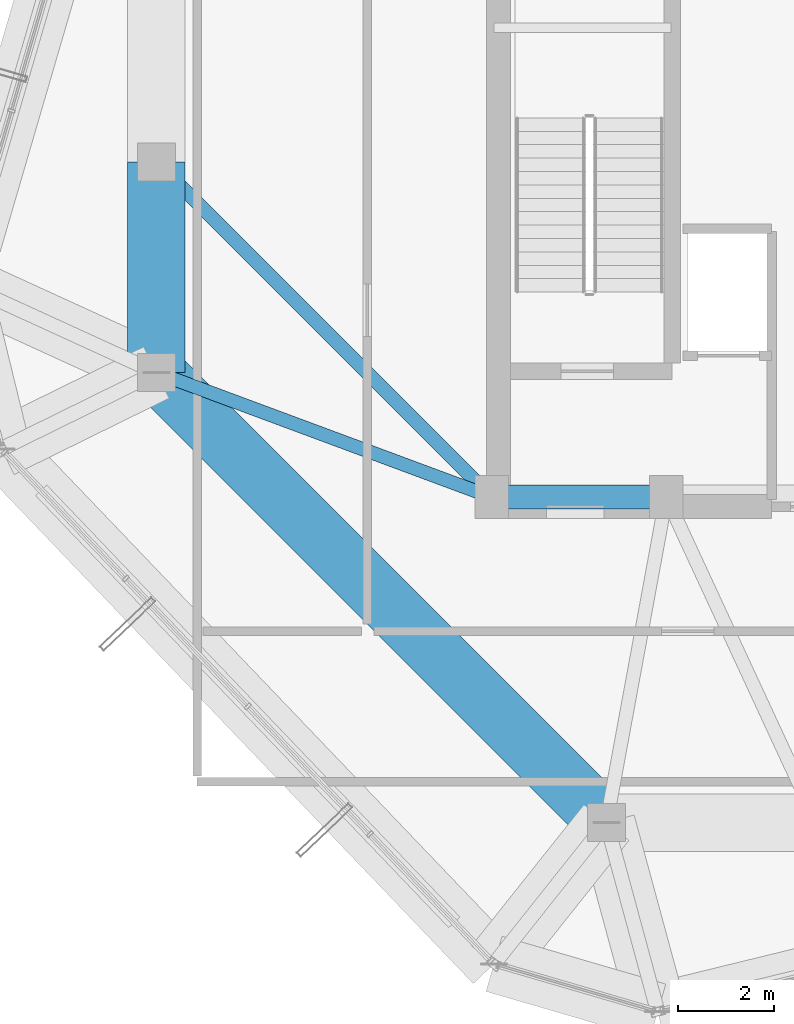
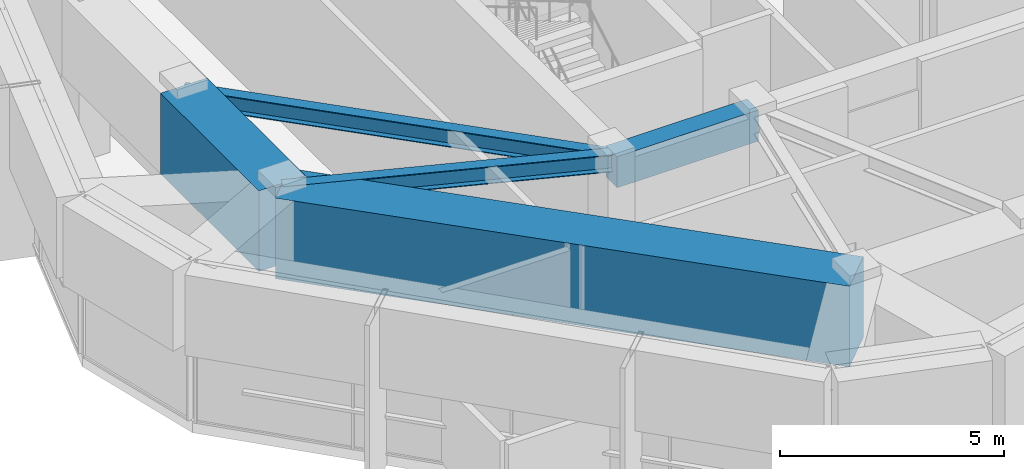
# One storey, part 7 of 39: 5 beams.
"""IFC4 building model written with IfcOpenShell, lengths in metres."""

from ifc_helpers import new_model, si_unit, direction, frame, origin, origin_2d, place, context, subcontext, project, spatial, rectangle, i_section, extrude, material, material_profile, profile_set, type_object, element, save


model = new_model("IFC4")

# Units and contexts
model_context = context("Model", 3, precision=1e-05, world=origin(), true_north=direction((0.0, 1.0)))
body_context = subcontext(model_context, "Body", "Model", "MODEL_VIEW")
ifc_project = project(units=[si_unit("LENGTHUNIT", "METRE"), si_unit("AREAUNIT", "SQUARE_METRE"), si_unit("VOLUMEUNIT", "CUBIC_METRE"), si_unit("PLANEANGLEUNIT", "RADIAN"), si_unit("MASSUNIT", "GRAM", prefix="KILO")], contexts=[model_context])

# Site, building, storey
site_placement = place(None, origin())
site = spatial("IfcSite", under=ifc_project, at=site_placement, CompositionType="ELEMENT")
building_placement = place(site_placement, origin())
building = spatial("IfcBuilding", under=site, at=building_placement, Name="Veraguas Prism Commons", CompositionType="ELEMENT")
storey_placement = place(building_placement, frame((0.0, 0.0, 264.25)))
storey = spatial("IfcBuildingStorey", under=building, at=storey_placement, Name="L75", CompositionType="ELEMENT", Elevation=264.25)

# Beams
ifc_material_1 = material(Name="Concrete C50/60", Category="concrete")
ifc_material_profile_1 = material_profile(ifc_material_1, rectangle(XDim=0.5, YDim=0.85009765625, at=origin_2d()), Name="RC500X850")
ifc_profile_set_1 = profile_set([ifc_material_profile_1], Name="Concrete C50/60")
beam_type_1 = type_object("IfcBeamType", Name="Core Coupling Beam RC 500x850", PredefinedType="BEAM", material=ifc_profile_set_1)
beam_1_placement = place(storey_placement, frame((17.199951171875, 17.0, 3.965087890625), z_axis=(1.0, 0.0, 0.0), x_axis=(0.0, 1.0, 0.0)))
element("IfcBeam", 1, at=beam_1_placement, inside=storey, type_object=beam_type_1, Name="Core Coupling Beam L75-CRS1", PredefinedType="BEAM", context=body_context, shape_type="SweptSolid", body=[
    extrude(rectangle(XDim=0.5, YDim=0.85009765625, at=origin_2d()), origin(), (0.0, 0.0, 1.0), 3.650146484375),
])
ifc_material_profile_2 = material_profile(ifc_material_1, rectangle(XDim=1.199951171875, YDim=2.199951171875, at=origin_2d()), Name="RC1200X2200")
ifc_profile_set_2 = profile_set([ifc_material_profile_2], Name="Concrete C50/60")
beam_type_2 = type_object("IfcBeamType", Name="Podium Transfer Girder RC 1200x2200", PredefinedType="BEAM", material=ifc_profile_set_2)
beam_2_placement = place(storey_placement, frame((10.199951171875, 24.0, 3.2900390625), z_axis=(0.0, -1.0, 0.0), x_axis=(1.0, 0.0, 0.0)))
element("IfcBeam", 2, at=beam_2_placement, inside=storey, type_object=beam_type_2, Name="Perimeter Spandrel Beam L75-SP08", PredefinedType="BEAM", context=body_context, shape_type="SweptSolid", body=[
    extrude(rectangle(XDim=1.199951171875, YDim=2.199951171875, at=origin_2d()), origin(), (0.0, 0.0, 1.0), 4.39990234375),
])
beam_3_placement = place(storey_placement, frame((10.199951171875, 19.60009765625, 3.2900390625), z_axis=(0.707106781187, -0.707106781187, 0.0), x_axis=(0.707106781187, 0.707106781187, 0.0)))
element("IfcBeam", 3, at=beam_3_placement, inside=storey, type_object=beam_type_2, Name="Perimeter Spandrel Beam L75-SP09", PredefinedType="BEAM", context=body_context, shape_type="SweptSolid", body=[
    extrude(rectangle(XDim=1.199951171875, YDim=2.199951171875, at=origin_2d()), origin(), (0.0, 0.0, 1.0), 13.293701171875),
])
ifc_material_2 = material(Name="Steel ASTM A992 Grade 50", Category="steel")
ifc_material_profile_3 = material_profile(ifc_material_2, i_section(OverallWidth=0.282958984375, OverallDepth=0.471923828125, WebThickness=0.013671875, FlangeThickness=0.022216796875, at=origin_2d()), Name="W460X144")
ifc_profile_set_3 = profile_set([ifc_material_profile_3], Name="Steel ASTM A992 Grade 50")
beam_type_3 = type_object("IfcBeamType", Name="Zone 4 Radial Girder W460x144", PredefinedType="BEAM", material=ifc_profile_set_3)
beam_4_placement = place(storey_placement, frame((10.199951171875, 24.0, 4.154052734375), z_axis=(0.707106781187, -0.707106781187, 0.0), x_axis=(0.707106781187, 0.707106781187, 0.0)))
element("IfcBeam", 4, at=beam_4_placement, inside=storey, type_object=beam_type_3, Name="Crown Base Radial Girder L75-RD08", PredefinedType="BEAM", context=body_context, shape_type="SweptSolid", body=[
    extrude(i_section(OverallWidth=0.282958984375, OverallDepth=0.471923828125, WebThickness=0.013671875, FlangeThickness=0.022216796875, at=origin_2d()), origin(), (0.0, 0.0, 1.0), 9.8994140625),
])
beam_5_placement = place(storey_placement, frame((10.199951171875, 19.60009765625, 4.154052734375), z_axis=(0.937421003341, -0.348198021958, 0.0), x_axis=(0.348198021958, 0.937421003341, 0.0)))
element("IfcBeam", 5, at=beam_5_placement, inside=storey, type_object=beam_type_3, Name="Crown Base Radial Girder L75-RD09", PredefinedType="BEAM", context=body_context, shape_type="SweptSolid", body=[
    extrude(i_section(OverallWidth=0.282958984375, OverallDepth=0.471923828125, WebThickness=0.013671875, FlangeThickness=0.022216796875, at=origin_2d()), origin(), (0.0, 0.0, 1.0), 7.46728515625),
])

save(model, "model.ifc")
